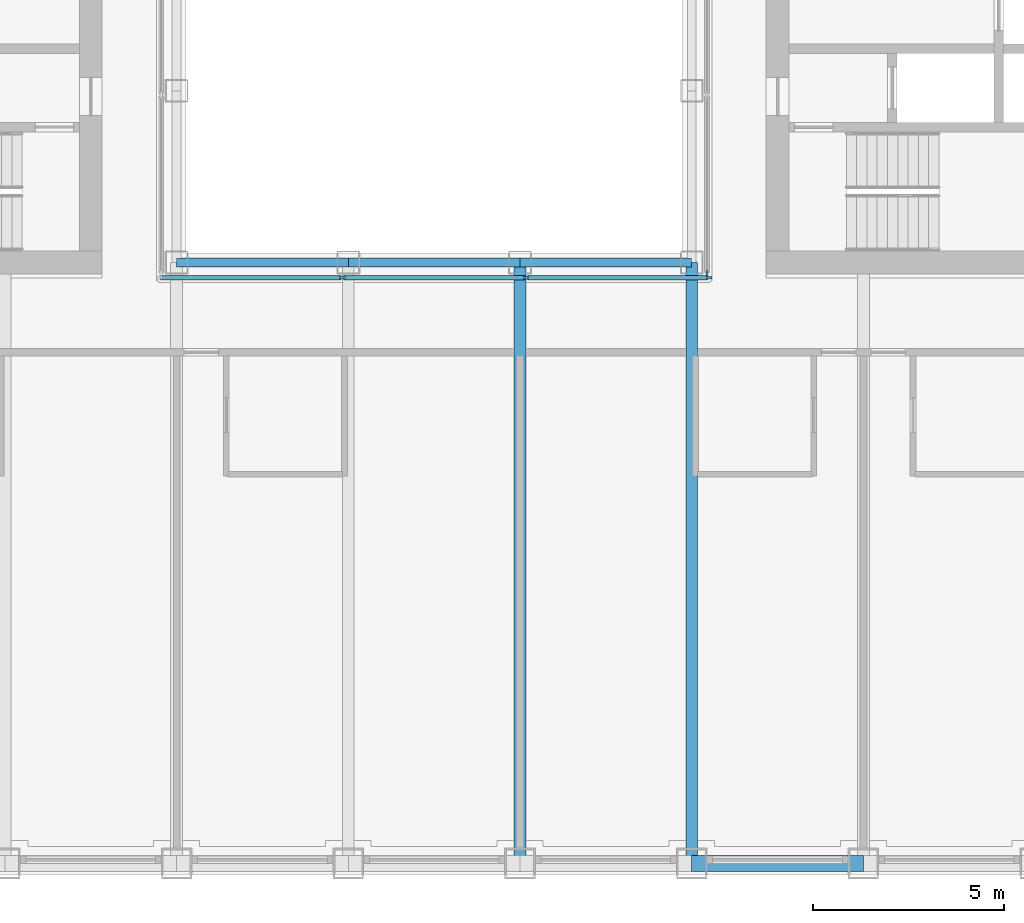
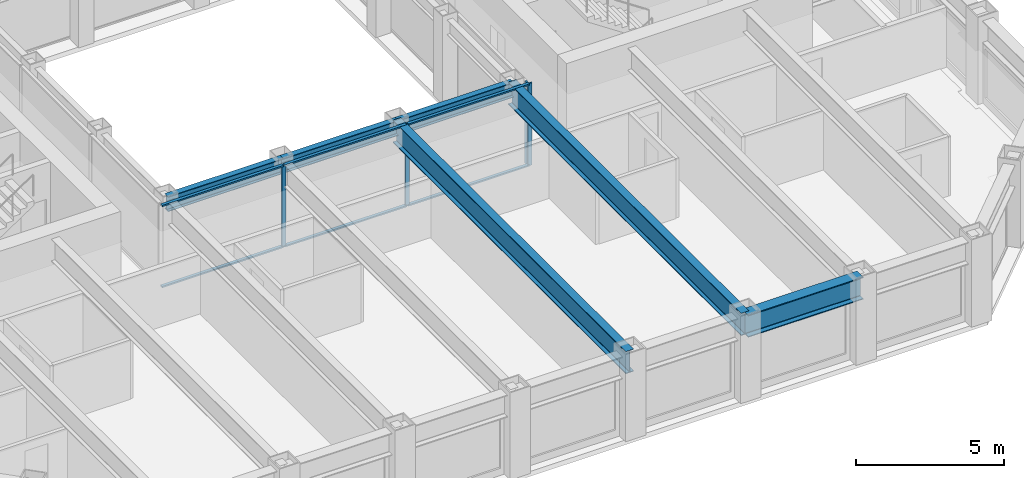
# One storey, part 3 of 17: 10 members, 6 beams, 2 elements without a shape of their own.
"""IFC4 building model written with IfcOpenShell, lengths in metres."""

from ifc_helpers import new_model, si_unit, direction, frame, origin, origin_2d, place, context, subcontext, project, spatial, rectangle, i_section, extrude, material, material_profile, profile_set, type_object, element, aggregate, save


model = new_model("IFC4")

# Units and contexts
model_context = context("Model", 3, precision=1e-05, world=origin(), true_north=direction((0.0, 1.0)))
body_context = subcontext(model_context, "Body", "Model", "MODEL_VIEW")
ifc_project = project(units=[si_unit("LENGTHUNIT", "METRE"), si_unit("AREAUNIT", "SQUARE_METRE"), si_unit("VOLUMEUNIT", "CUBIC_METRE"), si_unit("PLANEANGLEUNIT", "RADIAN"), si_unit("MASSUNIT", "GRAM", prefix="KILO")], contexts=[model_context])

# Site, building, storey
site_placement = place(None, origin())
site = spatial("IfcSite", under=ifc_project, at=site_placement, CompositionType="ELEMENT")
building_placement = place(site_placement, origin())
building = spatial("IfcBuilding", under=site, at=building_placement, Name="Msasa Ring Tower", CompositionType="ELEMENT")
storey_placement = place(building_placement, frame((0.0, 0.0, 176.0)))
storey = spatial("IfcBuildingStorey", under=building, at=storey_placement, Name="L46", CompositionType="ELEMENT", Elevation=176.0)

# Curtain wall, members
ifc_material_1 = material(Name="Aluminium curtain wall with clear glass", Category="aluminium")
curtain_wall_type = type_object("IfcCurtainWallType", Name="CW-W LIGHT WELL CURTAIN WALL", PredefinedType="NOTDEFINED", material=ifc_material_1)
curtain_wall_1_placement = place(storey_placement, origin())
curtain_wall_1 = element("IfcCurtainWall", 1, at=curtain_wall_1_placement, inside=storey, type_object=curtain_wall_type, Name="Light well curtain wall S L46", PredefinedType="NOTDEFINED")
ifc_material_2 = material(Name="Aluminium mullion", Category="aluminium")
ifc_material_profile_1 = material_profile(ifc_material_2, rectangle(XDim=0.06005859375, YDim=0.159912109375, at=origin_2d()), Name="AL 60x160")
ifc_profile_set_1 = profile_set([ifc_material_profile_1], Name="Aluminium mullion")
member_type_1 = type_object("IfcMemberType", Name="CW-W MULLION 60x160", PredefinedType="MULLION", material=ifc_profile_set_1)
member_1_placement = place(storey_placement, frame((-2.409912109375, -7.14990234375, 0.0), z_axis=(0.0, 0.0, 1.0), x_axis=(0.0, 1.0, 0.0)))
member_1 = element("IfcMember", 2, at=member_1_placement, type_object=member_type_1, Name="CW-W mullion 2", PredefinedType="MULLION", context=body_context, shape_type="SweptSolid", body=[
    extrude(rectangle(XDim=0.06005859375, YDim=0.159912109375, at=origin_2d()), origin(), (0.0, 0.0, 1.0), 3.39990234375),
])
member_2_placement = place(storey_placement, frame((2.409912109375, -7.14990234375, 0.0), z_axis=(0.0, 0.0, 1.0), x_axis=(0.0, 1.0, 0.0)))
member_2 = element("IfcMember", 3, at=member_2_placement, type_object=member_type_1, Name="CW-W mullion 3", PredefinedType="MULLION", context=body_context, shape_type="SweptSolid", body=[
    extrude(rectangle(XDim=0.06005859375, YDim=0.159912109375, at=origin_2d()), origin(), (0.0, 0.0, 1.0), 3.39990234375),
])
member_3_placement = place(storey_placement, frame((7.199951171875, -7.14990234375, 0.0), z_axis=(0.0, 0.0, 1.0), x_axis=(0.0, 1.0, 0.0)))
member_3 = element("IfcMember", 4, at=member_3_placement, type_object=member_type_1, Name="CW-W mullion 4", PredefinedType="MULLION", context=body_context, shape_type="SweptSolid", body=[
    extrude(rectangle(XDim=0.06005859375, YDim=0.159912109375, at=origin_2d()), origin(), (0.0, 0.0, 1.0), 3.39990234375),
])

# Curtain wall, member
curtain_wall_2_placement = place(storey_placement, origin())
curtain_wall_2 = element("IfcCurtainWall", 5, at=curtain_wall_2_placement, inside=storey, type_object=curtain_wall_type, Name="Light well curtain wall E L46", PredefinedType="NOTDEFINED")
member_4_placement = place(storey_placement, frame((7.14990234375, -7.0400390625, 0.0), z_axis=(0.0, 0.0, 1.0), x_axis=(-1.0, 0.0, 0.0)))
member_4 = element("IfcMember", 6, at=member_4_placement, type_object=member_type_1, Name="CW-W mullion 1", PredefinedType="MULLION", context=body_context, shape_type="SweptSolid", body=[
    extrude(rectangle(XDim=0.06005859375, YDim=0.159912109375, at=origin_2d()), origin(), (0.0, 0.0, 1.0), 3.39990234375),
])
aggregate(curtain_wall_2, [member_4])

# Member
ifc_material_3 = material(Name="Aluminium transom", Category="aluminium")
ifc_material_profile_2 = material_profile(ifc_material_3, rectangle(XDim=0.1201171875, YDim=0.06005859375, at=origin_2d()), Name="AL 60x120")
ifc_profile_set_2 = profile_set([ifc_material_profile_2], Name="Aluminium transom")
member_type_2 = type_object("IfcMemberType", Name="CW-W TRANSOM 60x120", PredefinedType="USERDEFINED", material=ifc_profile_set_2)
member_5_placement = place(storey_placement, frame((-7.169921875, -7.14990234375, 0.030029296875), z_axis=(1.0, 0.0, 0.0), x_axis=(0.0, 1.0, 0.0)))
member_5 = element("IfcMember", 7, at=member_5_placement, type_object=member_type_2, Name="CW-W transom 1.1", ObjectType="TRANSOM", PredefinedType="USERDEFINED", context=body_context, shape_type="SweptSolid", body=[
    extrude(rectangle(XDim=0.1201171875, YDim=0.06005859375, at=origin_2d()), origin(), (0.0, 0.0, 1.0), 4.72998046875),
])

member_6_placement = place(storey_placement, frame((-7.169921875, -7.14990234375, 3.3701171875), z_axis=(1.0, 0.0, 0.0), x_axis=(0.0, 1.0, 0.0)))
member_6 = element("IfcMember", 8, at=member_6_placement, type_object=member_type_2, Name="CW-W transom 1.2", ObjectType="TRANSOM", PredefinedType="USERDEFINED", context=body_context, shape_type="SweptSolid", body=[
    extrude(rectangle(XDim=0.1201171875, YDim=0.06005859375, at=origin_2d()), origin(), (0.0, 0.0, 1.0), 4.72998046875),
])

member_7_placement = place(storey_placement, frame((-2.3798828125, -7.14990234375, 0.030029296875), z_axis=(1.0, 0.0, 0.0), x_axis=(0.0, 1.0, 0.0)))
member_7 = element("IfcMember", 9, at=member_7_placement, type_object=member_type_2, Name="CW-W transom 2.1", ObjectType="TRANSOM", PredefinedType="USERDEFINED", context=body_context, shape_type="SweptSolid", body=[
    extrude(rectangle(XDim=0.1201171875, YDim=0.06005859375, at=origin_2d()), origin(), (0.0, 0.0, 1.0), 4.759765625),
])

member_8_placement = place(storey_placement, frame((-2.3798828125, -7.14990234375, 3.3701171875), z_axis=(1.0, 0.0, 0.0), x_axis=(0.0, 1.0, 0.0)))
member_8 = element("IfcMember", 10, at=member_8_placement, type_object=member_type_2, Name="CW-W transom 2.2", ObjectType="TRANSOM", PredefinedType="USERDEFINED", context=body_context, shape_type="SweptSolid", body=[
    extrude(rectangle(XDim=0.1201171875, YDim=0.06005859375, at=origin_2d()), origin(), (0.0, 0.0, 1.0), 4.759765625),
])

member_9_placement = place(storey_placement, frame((2.43994140625, -7.14990234375, 0.030029296875), z_axis=(1.0, 0.0, 0.0), x_axis=(0.0, 1.0, 0.0)))
member_9 = element("IfcMember", 11, at=member_9_placement, type_object=member_type_2, Name="CW-W transom 3.1", ObjectType="TRANSOM", PredefinedType="USERDEFINED", context=body_context, shape_type="SweptSolid", body=[
    extrude(rectangle(XDim=0.1201171875, YDim=0.06005859375, at=origin_2d()), origin(), (0.0, 0.0, 1.0), 4.72998046875),
])

member_10_placement = place(storey_placement, frame((2.43994140625, -7.14990234375, 3.3701171875), z_axis=(1.0, 0.0, 0.0), x_axis=(0.0, 1.0, 0.0)))
member_10 = element("IfcMember", 12, at=member_10_placement, type_object=member_type_2, Name="CW-W transom 3.2", ObjectType="TRANSOM", PredefinedType="USERDEFINED", context=body_context, shape_type="SweptSolid", body=[
    extrude(rectangle(XDim=0.1201171875, YDim=0.06005859375, at=origin_2d()), origin(), (0.0, 0.0, 1.0), 4.72998046875),
])

aggregate(curtain_wall_1, [member_1, member_2, member_3, member_5, member_6, member_7, member_8, member_9, member_10])

# Beams
ifc_material_4 = material(Name="Steel S355", Category="steel")
ifc_material_profile_3 = material_profile(ifc_material_4, i_section(OverallWidth=0.3076171875, OverallDepth=0.926513671875, WebThickness=0.01953125, FlangeThickness=0.031982421875, FilletRadius=0.01904296875, at=origin_2d()), Name="UB 914x305x289")
ifc_profile_set_3 = profile_set([ifc_material_profile_3], Name="Steel S355")
beam_type_1 = type_object("IfcBeamType", Name="FB3 UB 914x305x289", PredefinedType="BEAM", material=ifc_profile_set_3)
for number, where, z_axis, x_axis, name in (
    (13, (2.25, -22.5, 2.936767578125), (0.0, 1.0, 0.0), (-1.0, 0.0, 0.0), "Floor beam S+2.25 under L47"),
    (14, (6.75, -22.5, 2.936767578125), (0.0, 1.0, 0.0), (-1.0, 0.0, 0.0), "Floor beam S+6.75 under L47"),
):
    element("IfcBeam", number, at=place(storey_placement, frame(where, z_axis=z_axis, x_axis=x_axis)), inside=storey, type_object=beam_type_1, Name=name, PredefinedType="BEAM", context=body_context, shape_type="SweptSolid", body=[
        extrude(i_section(OverallWidth=0.3076171875, OverallDepth=0.926513671875, WebThickness=0.01953125, FlangeThickness=0.031982421875, FilletRadius=0.01904296875, at=origin_2d()), origin(), (0.0, 0.0, 1.0), 15.75),
    ])
ifc_material_5 = material(Name="Steel S355", Category="steel")
ifc_material_profile_4 = material_profile(ifc_material_5, i_section(OverallWidth=0.230224609375, OverallDepth=0.6171875, WebThickness=0.01318359375, FlangeThickness=0.022216796875, FilletRadius=0.0126953125, at=origin_2d()), Name="UB 610x229x140")
ifc_profile_set_4 = profile_set([ifc_material_profile_4], Name="Steel S355")
beam_type_2 = type_object("IfcBeamType", Name="RB1 UB 610x229x140", PredefinedType="BEAM", material=ifc_profile_set_4)
for number, where, z_axis, x_axis, name in (
    (15, (-6.75, -6.75, 3.09130859375), (1.0, 0.0, 0.0), (0.0, 1.0, 0.0), "Inner ring beam IR-6.75-6.75 under L47"),
    (16, (-2.25, -6.75, 3.09130859375), (1.0, 0.0, 0.0), (0.0, 1.0, 0.0), "Inner ring beam IR-2.25-6.75 under L47"),
    (17, (2.25, -6.75, 3.09130859375), (1.0, 0.0, 0.0), (0.0, 1.0, 0.0), "Inner ring beam IR+2.25-6.75 under L47"),
):
    element("IfcBeam", number, at=place(storey_placement, frame(where, z_axis=z_axis, x_axis=x_axis)), inside=storey, type_object=beam_type_2, Name=name, PredefinedType="BEAM", context=body_context, shape_type="SweptSolid", body=[
        extrude(i_section(OverallWidth=0.230224609375, OverallDepth=0.6171875, WebThickness=0.01318359375, FlangeThickness=0.022216796875, FilletRadius=0.0126953125, at=origin_2d()), origin(), (0.0, 0.0, 1.0), 4.5),
    ])
ifc_material_6 = material(Name="Steel S355", Category="steel")
ifc_material_profile_5 = material_profile(ifc_material_6, i_section(OverallWidth=0.42041015625, OverallDepth=0.9208984375, WebThickness=0.021484375, FlangeThickness=0.03662109375, FilletRadius=0.024169921875, at=origin_2d()), Name="UB 914x419x388")
ifc_profile_set_5 = profile_set([ifc_material_profile_5], Name="Steel S355")
beam_type_3 = type_object("IfcBeamType", Name="SB1 UB 914x419x388", PredefinedType="SPANDREL", material=ifc_profile_set_5)
beam_placement = place(storey_placement, frame((6.75, -22.5, 2.939453125), z_axis=(1.0, 0.0, 0.0), x_axis=(0.0, 1.0, 0.0)))
element("IfcBeam", 18, at=beam_placement, inside=storey, type_object=beam_type_3, Name="Spandrel S+6.75 to S+11.25 under L47", PredefinedType="SPANDREL", context=body_context, shape_type="SweptSolid", body=[
    extrude(i_section(OverallWidth=0.42041015625, OverallDepth=0.9208984375, WebThickness=0.021484375, FlangeThickness=0.03662109375, FilletRadius=0.024169921875, at=origin_2d()), origin(), (0.0, 0.0, 1.0), 4.5),
])

save(model, "model.ifc")
